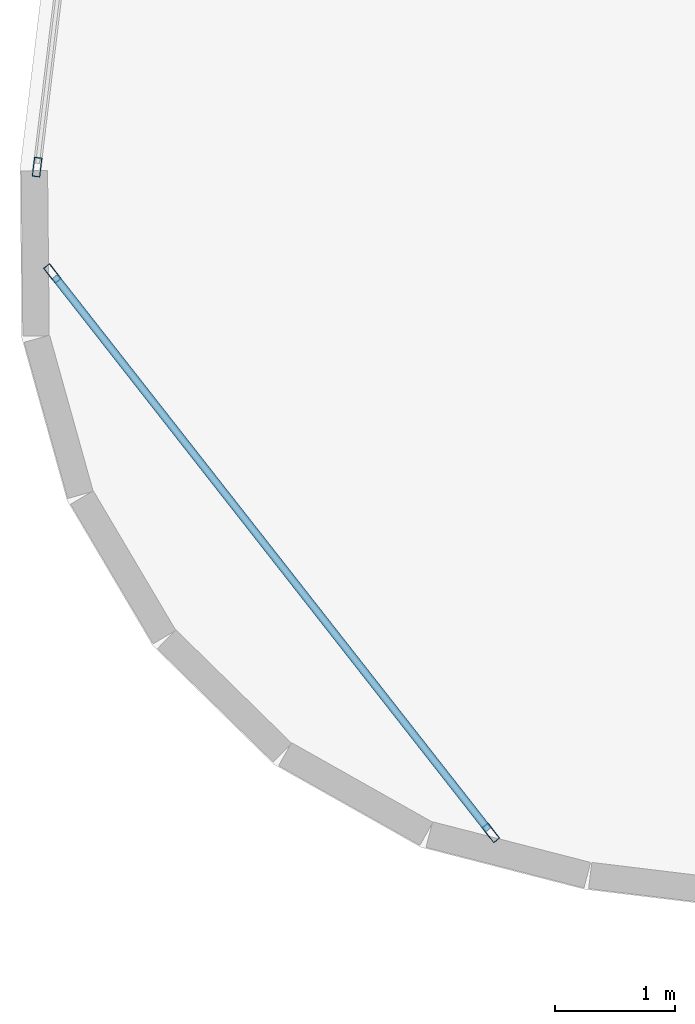
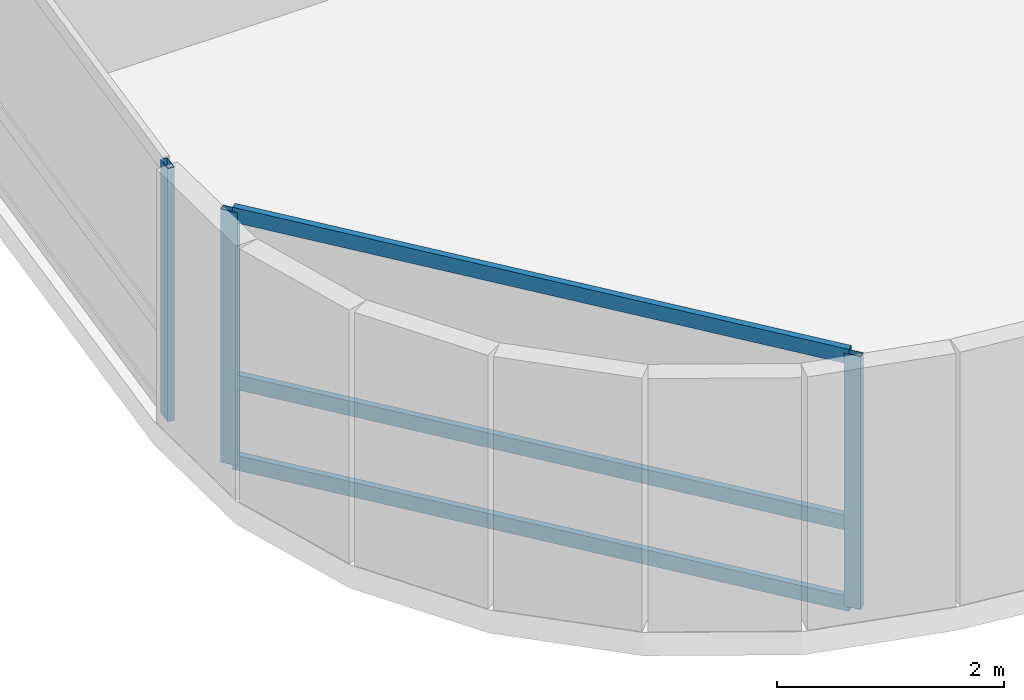
# One storey, part 2 of 26: 6 members, 2 elements without a shape of their own.
"""IFC4 building model written with IfcOpenShell, lengths in metres."""

from ifc_helpers import new_model, si_unit, direction, frame, origin, origin_2d, place, context, subcontext, project, spatial, hollow_rectangle, extrude, material, layer, layer_set, material_profile, profile_set, type_object, element, aggregate, save


model = new_model("IFC4")

# Units and contexts
model_context = context("Model", 3, precision=1e-05, world=origin(), true_north=direction((0.0, 1.0)))
body_context = subcontext(model_context, "Body", "Model", "MODEL_VIEW")
ifc_project = project(units=[si_unit("LENGTHUNIT", "METRE"), si_unit("AREAUNIT", "SQUARE_METRE"), si_unit("VOLUMEUNIT", "CUBIC_METRE"), si_unit("PLANEANGLEUNIT", "RADIAN"), si_unit("MASSUNIT", "GRAM", prefix="KILO")], contexts=[model_context])

# Site, building, storey
site_placement = place(None, origin())
site = spatial("IfcSite", under=ifc_project, at=site_placement, CompositionType="ELEMENT")
building_placement = place(site_placement, origin())
building = spatial("IfcBuilding", under=site, at=building_placement, Name="Varnelok Gate Tower", CompositionType="ELEMENT")
storey_placement = place(building_placement, frame((0.0, 0.0, 121.699951171875)))
storey = spatial("IfcBuildingStorey", under=building, at=storey_placement, Name="L30", CompositionType="ELEMENT", Elevation=121.699951171875)

# Curtain wall, member
ifc_material = material(Name="Anodized Aluminum Alloy 6063-T6", Category="aluminium")
ifc_layer_1 = layer(ifc_material, 0.179931640625)
ifc_layer_set_1 = layer_set([ifc_layer_1], Name="Anodized Aluminum Alloy 6063-T6")
curtain_wall_type_1 = type_object("IfcCurtainWallType", Name="CW3-HOTEL-VISION", PredefinedType="USERDEFINED", material=ifc_layer_set_1)
curtain_wall_1_placement = place(storey_placement, origin())
curtain_wall_1 = element("IfcCurtainWall", 1, at=curtain_wall_1_placement, inside=storey, type_object=curtain_wall_type_1, Name="L30 West End Vision Curtain Wall", ObjectType="UNITISED CURTAIN WALL", PredefinedType="USERDEFINED")
ifc_material_profile_1 = material_profile(ifc_material, hollow_rectangle(XDim=0.06494140625, YDim=0.159912109375, WallThickness=0.00390625, at=origin_2d()), Name="ALU160X65X4")
ifc_profile_set_1 = profile_set([ifc_material_profile_1], Name="Anodized Aluminum Alloy 6063-T6")
member_type_1 = type_object("IfcMemberType", Name="CW-MULL-160", PredefinedType="MULLION", material=ifc_profile_set_1)
member_1_placement = place(storey_placement, frame((0.2470703125, 11.923095703125, 0.0), z_axis=(0.0, 0.0, 1.0), x_axis=(-0.99273188146, 0.120347046212, 0.0)))
member_1 = element("IfcMember", 2, at=member_1_placement, type_object=member_type_1, Name="CW3 mullion 1", PredefinedType="MULLION", context=body_context, shape_type="SweptSolid", body=[
    extrude(hollow_rectangle(XDim=0.06494140625, YDim=0.159912109375, WallThickness=0.00390625, at=origin_2d()), origin(), (0.0, 0.0, 1.0), 2.72998046875),
])
aggregate(curtain_wall_1, [member_1])

# Curtain wall, members
ifc_layer_2 = layer(ifc_material, 0.179931640625)
ifc_layer_set_2 = layer_set([ifc_layer_2], Name="Anodized Aluminum Alloy 6063-T6")
curtain_wall_type_2 = type_object("IfcCurtainWallType", Name="CW5-WINDCORNER-GLAZ", PredefinedType="USERDEFINED", material=ifc_layer_set_2)
curtain_wall_2_placement = place(storey_placement, origin())
curtain_wall_2 = element("IfcCurtainWall", 3, at=curtain_wall_2_placement, inside=storey, type_object=curtain_wall_type_2, Name="L30 Wind-Shaped Corner Curtain Wall SW", ObjectType="STRUCTURAL GLAZING", PredefinedType="USERDEFINED")
member_2_placement = place(storey_placement, frame((0.374267578125, 11.035888671875, 0.0), z_axis=(0.0, 0.0, 1.0), x_axis=(0.787055039792, 0.616882780063, 0.0)))
member_2 = element("IfcMember", 4, at=member_2_placement, type_object=member_type_1, Name="CW5 mullion 1", PredefinedType="MULLION", context=body_context, shape_type="SweptSolid", body=[
    extrude(hollow_rectangle(XDim=0.06494140625, YDim=0.159912109375, WallThickness=0.00390625, at=origin_2d()), origin(), (0.0, 0.0, 1.0), 2.72998046875),
])
member_3_placement = place(storey_placement, frame((4.032958984375, 6.36767578125, 0.0), z_axis=(0.0, 0.0, 1.0), x_axis=(0.787055039792, 0.616882780063, 0.0)))
member_3 = element("IfcMember", 5, at=member_3_placement, type_object=member_type_1, Name="CW5 mullion 2", PredefinedType="MULLION", context=body_context, shape_type="SweptSolid", body=[
    extrude(hollow_rectangle(XDim=0.06494140625, YDim=0.159912109375, WallThickness=0.00390625, at=origin_2d()), origin(), (0.0, 0.0, 1.0), 2.72998046875),
])
ifc_material_profile_2 = material_profile(ifc_material, hollow_rectangle(XDim=0.06494140625, YDim=0.159912109375, WallThickness=0.00390625, at=origin_2d()), Name="ALU160X65X4")
ifc_profile_set_2 = profile_set([ifc_material_profile_2], Name="Anodized Aluminum Alloy 6063-T6")
member_type_2 = type_object("IfcMemberType", Name="CW-TRAN-160", PredefinedType="USERDEFINED", material=ifc_profile_set_2)
member_4_placement = place(storey_placement, frame((0.394287109375, 11.01025390625, 0.032470703125), z_axis=(0.616857972856, -0.787074482704, 0.0), x_axis=(0.787074482704, 0.616857972856, 0.0)))
member_4 = element("IfcMember", 6, at=member_4_placement, type_object=member_type_2, Name="CW5 transom 1.1", ObjectType="TRANSOM", PredefinedType="USERDEFINED", context=body_context, shape_type="SweptSolid", body=[
    extrude(hollow_rectangle(XDim=0.06494140625, YDim=0.159912109375, WallThickness=0.00390625, at=origin_2d()), origin(), (0.0, 0.0, 1.0), 5.8662109375),
])
member_5_placement = place(storey_placement, frame((0.394287109375, 11.01025390625, 0.900146484375), z_axis=(0.616857972856, -0.787074482704, 0.0), x_axis=(0.787074482704, 0.616857972856, 0.0)))
member_5 = element("IfcMember", 7, at=member_5_placement, type_object=member_type_2, Name="CW5 transom 1.2", ObjectType="TRANSOM", PredefinedType="USERDEFINED", context=body_context, shape_type="SweptSolid", body=[
    extrude(hollow_rectangle(XDim=0.06494140625, YDim=0.159912109375, WallThickness=0.00390625, at=origin_2d()), origin(), (0.0, 0.0, 1.0), 5.8662109375),
])
member_6_placement = place(storey_placement, frame((0.394287109375, 11.01025390625, 2.697509765625), z_axis=(0.616857972856, -0.787074482704, 0.0), x_axis=(0.787074482704, 0.616857972856, 0.0)))
member_6 = element("IfcMember", 8, at=member_6_placement, type_object=member_type_2, Name="CW5 transom 1.3", ObjectType="TRANSOM", PredefinedType="USERDEFINED", context=body_context, shape_type="SweptSolid", body=[
    extrude(hollow_rectangle(XDim=0.06494140625, YDim=0.159912109375, WallThickness=0.00390625, at=origin_2d()), origin(), (0.0, 0.0, 1.0), 5.8662109375),
])
aggregate(curtain_wall_2, [member_2, member_3, member_4, member_5, member_6])

save(model, "model.ifc")
